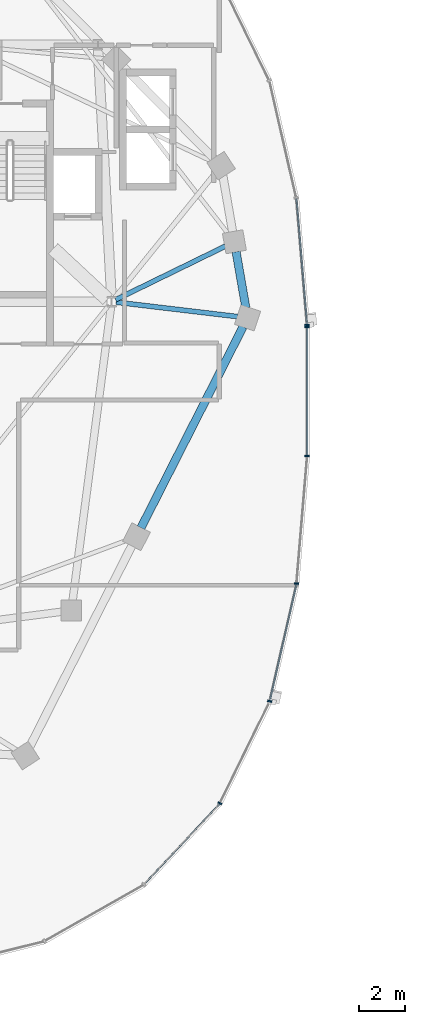
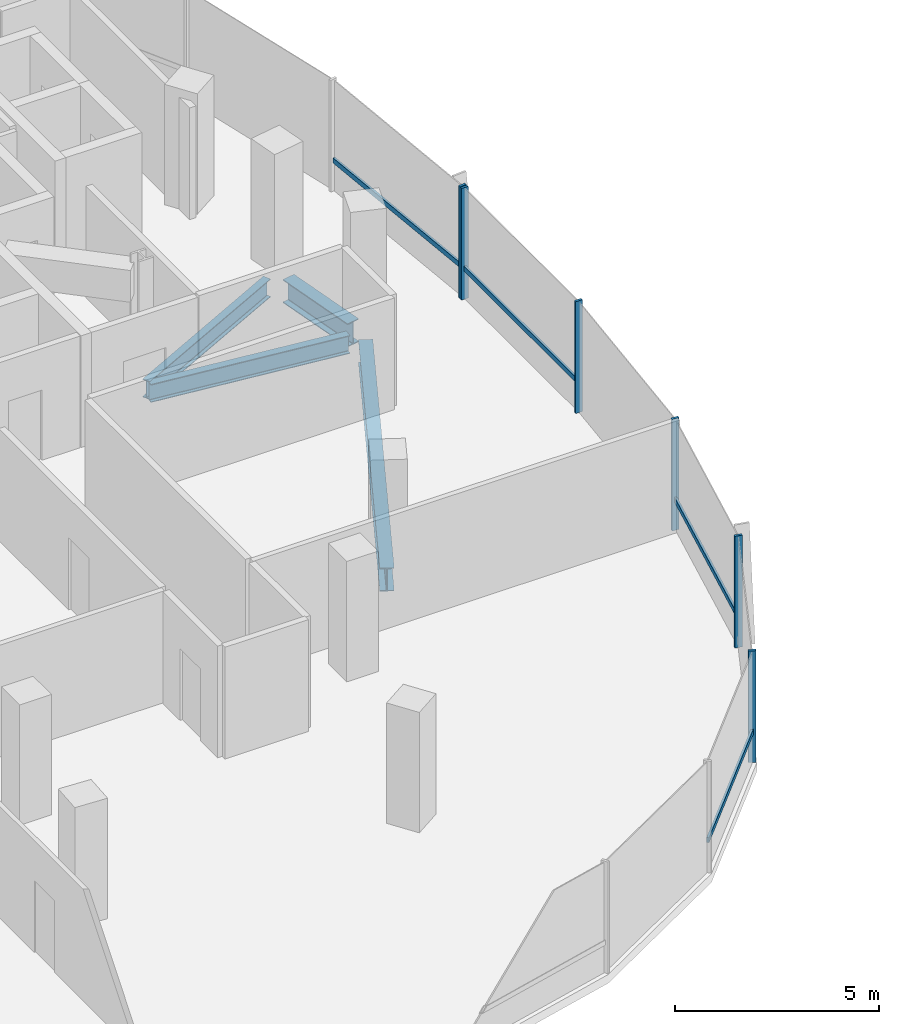
# One storey, part 5 of 25: 10 members, 4 beams, 2 elements without a shape of their own.
"""IFC4 building model written with IfcOpenShell, lengths in metres."""

from ifc_helpers import new_model, si_unit, direction, frame, origin, origin_2d, place, context, subcontext, project, spatial, rectangle, i_section, extrude, material, material_profile, profile_set, type_object, element, aggregate, save


model = new_model("IFC4")

# Units and contexts
model_context = context("Model", 3, precision=1e-05, world=origin(), true_north=direction((0.0, 1.0)))
body_context = subcontext(model_context, "Body", "Model", "MODEL_VIEW")
ifc_project = project(units=[si_unit("LENGTHUNIT", "METRE"), si_unit("AREAUNIT", "SQUARE_METRE"), si_unit("VOLUMEUNIT", "CUBIC_METRE"), si_unit("PLANEANGLEUNIT", "RADIAN"), si_unit("MASSUNIT", "GRAM", prefix="KILO"), si_unit("THERMODYNAMICTEMPERATUREUNIT", "KELVIN"), si_unit("POWERUNIT", "WATT")], contexts=[model_context])

# Site, building, storey
site_placement = place(None, origin())
site = spatial("IfcSite", under=ifc_project, at=site_placement, CompositionType="ELEMENT")
building_placement = place(site_placement, origin())
building = spatial("IfcBuilding", under=site, at=building_placement, Name="Cundina Bronze Exchange", CompositionType="ELEMENT")
storey_placement = place(building_placement, frame((0.0, 0.0, 206.199951171875)))
storey = spatial("IfcBuildingStorey", under=building, at=storey_placement, Name="L54", CompositionType="ELEMENT", Elevation=206.199951171875)

# Beams
ifc_material_1 = material(Name="Steel ASTM A992 Grade 50", Category="steel")
ifc_material_profile_1 = material_profile(ifc_material_1, i_section(OverallWidth=0.2119140625, OverallDepth=0.5439453125, WebThickness=0.01318359375, FlangeThickness=0.021240234375, FilletRadius=0.013916015625, at=origin_2d()), Name="W21X83", Category="steel")
ifc_profile_set_1 = profile_set([ifc_material_profile_1], Name="Steel ASTM A992 Grade 50")
beam_type_1 = type_object("IfcBeamType", Name="BM-FLR-W21A", PredefinedType="BEAM", material=ifc_profile_set_1)
beam_1_placement = place(storey_placement, frame((-21.25537109375, 3.876953125, -0.531982421875), z_axis=(0.993036786722, -0.117804669761, 0.0), x_axis=(0.117804669761, 0.993036786722, 0.0)))
element("IfcBeam", 1, at=beam_1_placement, inside=storey, type_object=beam_type_1, Name="L54 Leg W Radial Floor Beam 00", PredefinedType="BEAM", context=body_context, shape_type="SweptSolid", body=[
    extrude(i_section(OverallWidth=0.2119140625, OverallDepth=0.5439453125, WebThickness=0.01318359375, FlangeThickness=0.021240234375, FilletRadius=0.013916015625, at=origin_2d()), origin(), (0.0, 0.0, 1.0), 5.307373046875),
])
beam_2_placement = place(storey_placement, frame((-21.27392578125, 3.986083984375, -0.531982421875), z_axis=(0.898613202677, 0.438741737214, 0.0), x_axis=(-0.438741737214, 0.898613202677, 0.0)))
element("IfcBeam", 2, at=beam_2_placement, inside=storey, type_object=beam_type_1, Name="L54 Leg W Radial Floor Beam 01", PredefinedType="BEAM", context=body_context, shape_type="SweptSolid", body=[
    extrude(i_section(OverallWidth=0.2119140625, OverallDepth=0.5439453125, WebThickness=0.01318359375, FlangeThickness=0.021240234375, FilletRadius=0.013916015625, at=origin_2d()), origin(), (0.0, 0.0, 1.0), 5.2919921875),
])
ifc_material_profile_2 = material_profile(ifc_material_1, i_section(OverallWidth=0.35498046875, OverallDepth=0.695068359375, WebThickness=0.015380859375, FlangeThickness=0.02490234375, FilletRadius=0.01806640625, at=origin_2d()), Name="W27X146", Category="steel")
ifc_profile_set_2 = profile_set([ifc_material_profile_2], Name="Steel ASTM A992 Grade 50")
beam_type_2 = type_object("IfcBeamType", Name="BM-RING-W27", PredefinedType="USERDEFINED", material=ifc_profile_set_2)
beam_3_placement = place(storey_placement, frame((-15.625244140625, 3.631591796875, -0.607421875), z_axis=(-0.171628556628, 0.985161732179, 0.0), x_axis=(-0.985161732179, -0.171628556628, 0.0)))
element("IfcBeam", 3, at=beam_3_placement, inside=storey, type_object=beam_type_2, Name="L54 W Perimeter Ring Girder 00", ObjectType="GIRDER", PredefinedType="USERDEFINED", context=body_context, shape_type="SweptSolid", body=[
    extrude(i_section(OverallWidth=0.35498046875, OverallDepth=0.695068359375, WebThickness=0.015380859375, FlangeThickness=0.02490234375, FilletRadius=0.01806640625, at=origin_2d()), origin(), (0.0, 0.0, 1.0), 2.4736328125),
])
beam_4_placement = place(storey_placement, frame((-20.1767578125, -5.909423828125, -0.607421875), z_axis=(0.452846871434, 0.891588308039, 0.0), x_axis=(-0.891588308039, 0.452846871434, 0.0)))
element("IfcBeam", 4, at=beam_4_placement, inside=storey, type_object=beam_type_2, Name="L54 W Perimeter Ring Girder 13", ObjectType="GIRDER", PredefinedType="USERDEFINED", context=body_context, shape_type="SweptSolid", body=[
    extrude(i_section(OverallWidth=0.35498046875, OverallDepth=0.695068359375, WebThickness=0.015380859375, FlangeThickness=0.02490234375, FilletRadius=0.01806640625, at=origin_2d()), origin(), (0.0, 0.0, 1.0), 9.779052734375),
])

# Curtain wall, member
ifc_material_2 = material(Name="Anodised Bronze Aluminium 6063-T6", Category="aluminium")
curtain_wall_type = type_object("IfcCurtainWallType", Name="CWS-UPP-OFF", PredefinedType="NOTDEFINED", material=ifc_material_2)
curtain_wall_1_placement = place(storey_placement, origin())
curtain_wall_1 = element("IfcCurtainWall", 5, at=curtain_wall_1_placement, inside=storey, type_object=curtain_wall_type, Name="L54 CW-05 Curtain Wall Run CWR-L54-W1", PredefinedType="NOTDEFINED")
ifc_material_profile_3 = material_profile(ifc_material_2, rectangle(XDim=0.070068359375, YDim=0.18994140625, at=origin_2d()), Name="AL70X190", Category="aluminium")
ifc_profile_set_3 = profile_set([ifc_material_profile_3], Name="Anodised Bronze Aluminium 6063-T6")
member_type_1 = type_object("IfcMemberType", Name="CWM-MUL-190", PredefinedType="MULLION", material=ifc_profile_set_3)
member_1_placement = place(storey_placement, frame((-12.9697265625, 2.88330078125, 0.0), z_axis=(0.0, 0.0, 1.0), x_axis=(-0.083677843332, 0.99649285925, 0.0)))
member_1 = element("IfcMember", 6, at=member_1_placement, type_object=member_type_1, Name="CW-05 Mullion 1", PredefinedType="MULLION", context=body_context, shape_type="SweptSolid", body=[
    extrude(rectangle(XDim=0.070068359375, YDim=0.18994140625, at=origin_2d()), origin(), (0.0, 0.0, 1.0), 3.340087890625),
])

# Curtain wall, members
curtain_wall_2_placement = place(storey_placement, origin())
curtain_wall_2 = element("IfcCurtainWall", 7, at=curtain_wall_2_placement, inside=storey, type_object=curtain_wall_type, Name="L54 CW-05 Curtain Wall Run CWR-L54-W4", PredefinedType="NOTDEFINED")
member_2_placement = place(storey_placement, frame((-16.754638671875, -17.866455078125, 0.0), z_axis=(0.0, 0.0, 1.0), x_axis=(0.440566004113, 0.897720221461, 0.0)))
member_2 = element("IfcMember", 8, at=member_2_placement, type_object=member_type_1, Name="CW-05 Mullion 4", PredefinedType="MULLION", context=body_context, shape_type="SweptSolid", body=[
    extrude(rectangle(XDim=0.070068359375, YDim=0.18994140625, at=origin_2d()), origin(), (0.0, 0.0, 1.0), 3.340087890625),
])
member_3_placement = place(storey_placement, frame((-14.59228515625, -13.440673828125, 0.0), z_axis=(0.0, 0.0, 1.0), x_axis=(0.223250116011, 0.974761194191, 0.0)))
member_3 = element("IfcMember", 9, at=member_3_placement, type_object=member_type_1, Name="CW-05 Mullion 5", PredefinedType="MULLION", context=body_context, shape_type="SweptSolid", body=[
    extrude(rectangle(XDim=0.070068359375, YDim=0.18994140625, at=origin_2d()), origin(), (0.0, 0.0, 1.0), 3.340087890625),
])
member_4_placement = place(storey_placement, frame((-13.427490234375, -8.33056640625, 0.0), z_axis=(0.0, 0.0, 1.0), x_axis=(0.083677843332, 0.99649285925, 0.0)))
member_4 = element("IfcMember", 10, at=member_4_placement, type_object=member_type_1, Name="CW-05 Mullion 6", PredefinedType="MULLION", context=body_context, shape_type="SweptSolid", body=[
    extrude(rectangle(XDim=0.070068359375, YDim=0.18994140625, at=origin_2d()), origin(), (0.0, 0.0, 1.0), 3.340087890625),
])
member_5_placement = place(storey_placement, frame((-12.966064453125, -2.794921875, 0.0), z_axis=(0.0, 0.0, 1.0), x_axis=(0.0, 1.0, 0.0)))
member_5 = element("IfcMember", 11, at=member_5_placement, type_object=member_type_1, Name="CW-05 Mullion 7", PredefinedType="MULLION", context=body_context, shape_type="SweptSolid", body=[
    extrude(rectangle(XDim=0.070068359375, YDim=0.18994140625, at=origin_2d()), origin(), (0.0, 0.0, 1.0), 3.340087890625),
])
member_6_placement = place(storey_placement, frame((-12.966064453125, 2.794921875, 0.0), z_axis=(0.0, 0.0, 1.0), x_axis=(0.0, 1.0, 0.0)))
member_6 = element("IfcMember", 12, at=member_6_placement, type_object=member_type_1, Name="CW-05 End Mullion", PredefinedType="MULLION", context=body_context, shape_type="SweptSolid", body=[
    extrude(rectangle(XDim=0.070068359375, YDim=0.18994140625, at=origin_2d()), origin(), (0.0, 0.0, 1.0), 3.340087890625),
])

# Member
ifc_material_profile_4 = material_profile(ifc_material_2, rectangle(XDim=0.06494140625, YDim=0.14990234375, at=origin_2d()), Name="AL65X150", Category="aluminium")
ifc_profile_set_4 = profile_set([ifc_material_profile_4], Name="Anodised Bronze Aluminium 6063-T6")
member_type_2 = type_object("IfcMemberType", Name="CWM-TRN-150", PredefinedType="USERDEFINED", material=ifc_profile_set_4)
member_7_placement = place(storey_placement, frame((-12.972900390625, 2.921630859375, 0.920166015625), z_axis=(-0.083740331158, 0.996487610027, 0.0), x_axis=(-0.996487610027, -0.083740331158, 0.0)))
member_7 = element("IfcMember", 13, at=member_7_placement, type_object=member_type_2, Name="CW-05 Spandrel Transom 1", ObjectType="TRANSOM", PredefinedType="USERDEFINED", context=body_context, shape_type="SweptSolid", body=[
    extrude(rectangle(XDim=0.06494140625, YDim=0.14990234375, at=origin_2d()), origin(), (0.0, 0.0, 1.0), 5.466552734375),
])

aggregate(curtain_wall_1, [member_1, member_7])

member_8_placement = place(storey_placement, frame((-20.02490234375, -21.364501953125, 0.920166015625), z_axis=(0.684336416554, 0.729166420633, 0.0), x_axis=(-0.729166420633, 0.684336416554, 0.0)))
member_8 = element("IfcMember", 14, at=member_8_placement, type_object=member_type_2, Name="CW-05 Spandrel Transom 3", ObjectType="TRANSOM", PredefinedType="USERDEFINED", context=body_context, shape_type="SweptSolid", body=[
    extrude(rectangle(XDim=0.06494140625, YDim=0.14990234375, at=origin_2d()), origin(), (0.0, 0.0, 1.0), 4.76513671875),
])

member_9_placement = place(storey_placement, frame((-14.58349609375, -13.403076171875, 0.920166015625), z_axis=(0.22328343579, 0.974753562344, 0.0), x_axis=(-0.974753562344, 0.22328343579, 0.0)))
member_9 = element("IfcMember", 15, at=member_9_placement, type_object=member_type_2, Name="CW-05 Spandrel Transom 5", ObjectType="TRANSOM", PredefinedType="USERDEFINED", context=body_context, shape_type="SweptSolid", body=[
    extrude(rectangle(XDim=0.06494140625, YDim=0.14990234375, at=origin_2d()), origin(), (0.0, 0.0, 1.0), 5.159912109375),
])

member_10_placement = place(storey_placement, frame((-12.966064453125, -2.756591796875, 0.920166015625), z_axis=(0.0, 1.0, 0.0), x_axis=(-1.0, 0.0, 0.0)))
member_10 = element("IfcMember", 16, at=member_10_placement, type_object=member_type_2, Name="CW-05 Spandrel Transom 7", ObjectType="TRANSOM", PredefinedType="USERDEFINED", context=body_context, shape_type="SweptSolid", body=[
    extrude(rectangle(XDim=0.06494140625, YDim=0.14990234375, at=origin_2d()), origin(), (0.0, 0.0, 1.0), 5.51318359375),
])

aggregate(curtain_wall_2, [member_8, member_2, member_3, member_9, member_4, member_5, member_6, member_10])

save(model, "model.ifc")
